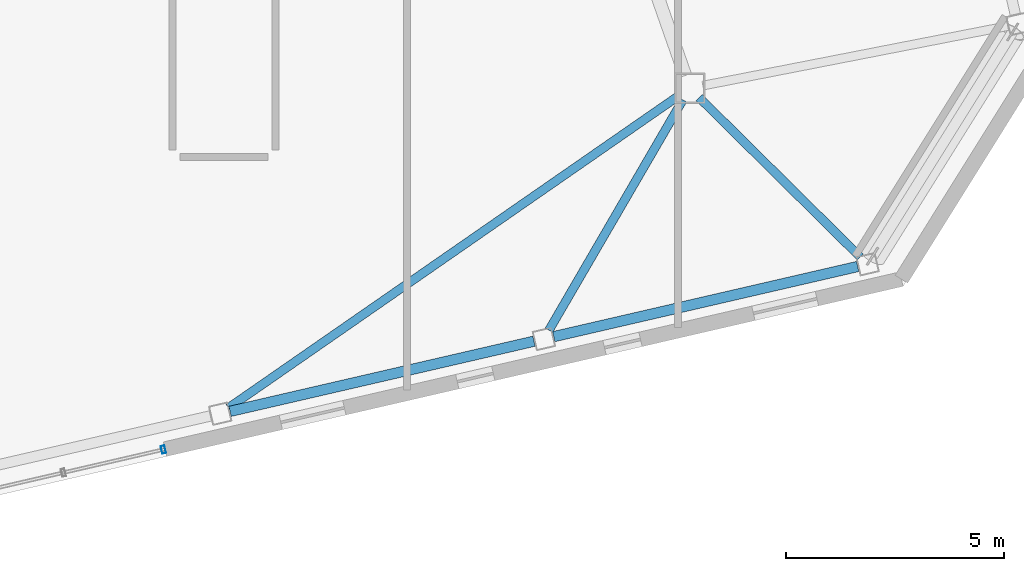
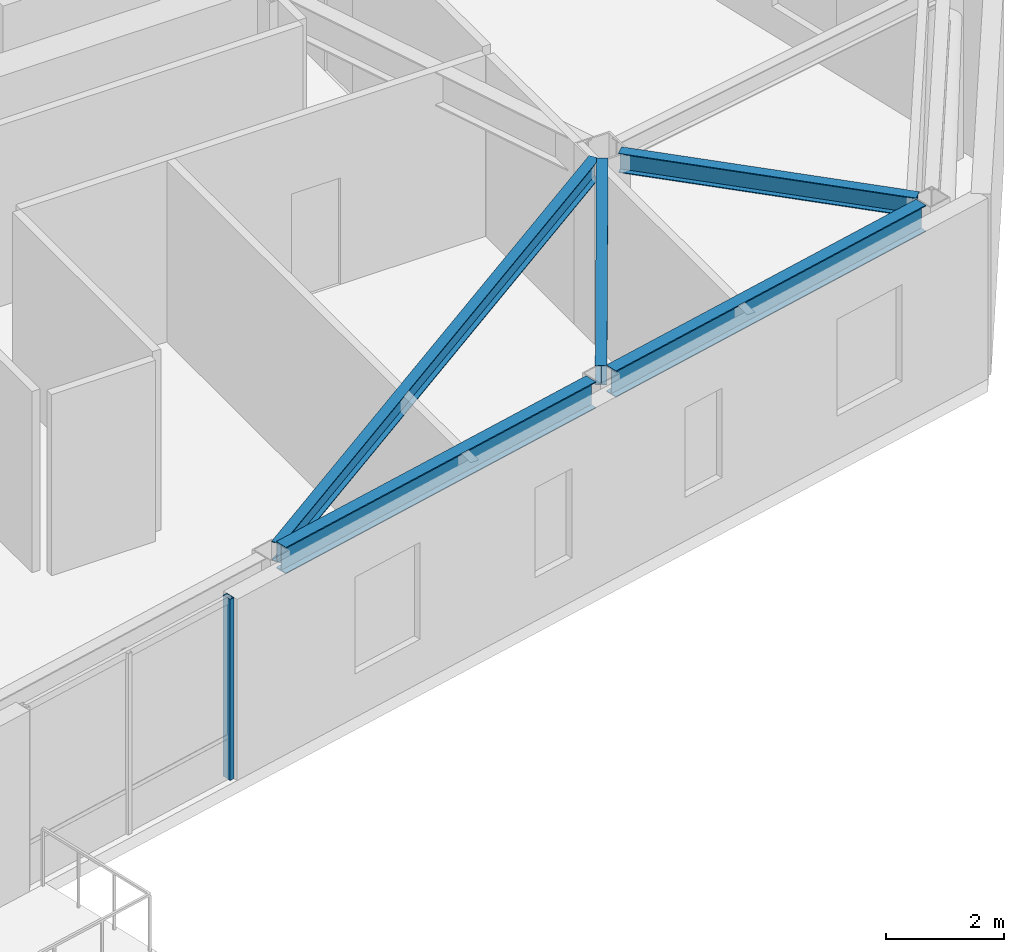
# One storey, part 10 of 24: 5 beams, 1 member, 1 element without a shape of its own.
"""IFC4 building model written with IfcOpenShell, lengths in metres."""

from ifc_helpers import new_model, si_unit, direction, frame, origin, origin_2d, place, context, subcontext, project, spatial, hollow_rectangle, i_section, extrude, material, layer, layer_set, material_profile, profile_set, type_object, element, aggregate, save


model = new_model("IFC4")

# Units and contexts
model_context = context("Model", 3, precision=1e-05, world=origin(), true_north=direction((0.0, 1.0)))
body_context = subcontext(model_context, "Body", "Model", "MODEL_VIEW")
ifc_project = project(units=[si_unit("LENGTHUNIT", "METRE"), si_unit("AREAUNIT", "SQUARE_METRE"), si_unit("VOLUMEUNIT", "CUBIC_METRE"), si_unit("PLANEANGLEUNIT", "RADIAN"), si_unit("MASSUNIT", "GRAM", prefix="KILO")], contexts=[model_context])

# Site, building, storey
site_placement = place(None, origin())
site = spatial("IfcSite", under=ifc_project, at=site_placement, CompositionType="ELEMENT")
building_placement = place(site_placement, origin())
building = spatial("IfcBuilding", under=site, at=building_placement, Name="Tavrogorsk Clinical Tower", CompositionType="ELEMENT")
storey_placement = place(building_placement, frame((0.0, 0.0, 325.0)))
storey = spatial("IfcBuildingStorey", under=building, at=storey_placement, Name="L76", CompositionType="ELEMENT", Elevation=325.0)

# Curtain wall, member
ifc_material_1 = material(Name="Anodised aluminium and triple IGU glazing", Category="aluminium")
ifc_layer = layer(ifc_material_1, 0.179931640625)
ifc_layer_set = layer_set([ifc_layer], Name="Anodised aluminium and triple IGU glazing")
curtain_wall_type = type_object("IfcCurtainWallType", Name="CW3_SouthSlot", PredefinedType="NOTDEFINED", material=ifc_layer_set)
curtain_wall_placement = place(storey_placement, origin())
curtain_wall = element("IfcCurtainWall", 1, at=curtain_wall_placement, inside=storey, type_object=curtain_wall_type, Name="L76 Curtain Wall CW-L76-S-SLOT-2", PredefinedType="NOTDEFINED")
ifc_material_2 = material(Name="Anodised aluminium alloy AW-6060", Category="aluminium")
ifc_material_profile_1 = material_profile(ifc_material_2, hollow_rectangle(XDim=0.090087890625, YDim=0.179931640625, WallThickness=0.00634765625, at=origin_2d()), Name="RHS-180x90x6.3")
ifc_profile_set_1 = profile_set([ifc_material_profile_1], Name="Anodised aluminium alloy AW-6060")
member_type = type_object("IfcMemberType", Name="CwMullion_180x90", PredefinedType="MULLION", material=ifc_profile_set_1)
member_placement = place(storey_placement, frame((12.4052734375, -21.504638671875, 0.0), z_axis=(0.0, 0.0, 1.0), x_axis=(0.974370057377, 0.224951086434, 0.0)))
member = element("IfcMember", 2, at=member_placement, type_object=member_type, Name="CW-L76-S-SLOT-2 Mullion 3", PredefinedType="MULLION", context=body_context, shape_type="SweptSolid", body=[
    extrude(hollow_rectangle(XDim=0.090087890625, YDim=0.179931640625, WallThickness=0.00634765625, at=origin_2d()), origin(), (0.0, 0.0, 1.0), 3.739990234375),
])
aggregate(curtain_wall, [member])

# Beams
ifc_material_3 = material(Name="Structural steel S355", Category="steel")
ifc_material_profile_2 = material_profile(ifc_material_3, i_section(OverallWidth=0.199951171875, OverallDepth=0.39990234375, WebThickness=0.010498046875, FlangeThickness=0.01611328125, at=origin_2d()), Name="B-400x200x10.5x16")
ifc_profile_set_2 = profile_set([ifc_material_profile_2], Name="Structural steel S355")
beam_type_1 = type_object("IfcBeamType", Name="FloorBeam_B400", PredefinedType="BEAM", material=ifc_profile_set_2)
beam_1_placement = place(storey_placement, frame((24.245361328125, -13.376708984375, 3.5400390625), z_axis=(-0.821821874963, -0.56974450926, 0.0), x_axis=(0.56974450926, -0.821821874963, 0.0)))
element("IfcBeam", 3, at=beam_1_placement, inside=storey, type_object=beam_type_1, Name="L76 Radial Floor Beam S6", PredefinedType="BEAM", context=body_context, shape_type="SweptSolid", body=[
    extrude(i_section(OverallWidth=0.199951171875, OverallDepth=0.39990234375, WebThickness=0.010498046875, FlangeThickness=0.01611328125, at=origin_2d()), origin(), (0.0, 0.0, 1.0), 12.5849609375),
])
beam_2_placement = place(storey_placement, frame((24.34423828125, -13.468017578125, 3.5400390625), z_axis=(-0.50260105099, -0.864518469174, 0.0), x_axis=(0.864518469174, -0.50260105099, 0.0)))
element("IfcBeam", 4, at=beam_2_placement, inside=storey, type_object=beam_type_1, Name="L76 Radial Floor Beam S7", PredefinedType="BEAM", context=body_context, shape_type="SweptSolid", body=[
    extrude(i_section(OverallWidth=0.199951171875, OverallDepth=0.39990234375, WebThickness=0.010498046875, FlangeThickness=0.01611328125, at=origin_2d()), origin(), (0.0, 0.0, 1.0), 6.12255859375),
])
beam_3_placement = place(storey_placement, frame((24.720458984375, -13.41796875, 3.5400390625), z_axis=(0.710870207436, -0.703323217433, 0.0), x_axis=(0.703323217433, 0.710870207436, 0.0)))
element("IfcBeam", 5, at=beam_3_placement, inside=storey, type_object=beam_type_1, Name="L76 Radial Floor Beam S8", PredefinedType="BEAM", context=body_context, shape_type="SweptSolid", body=[
    extrude(i_section(OverallWidth=0.199951171875, OverallDepth=0.39990234375, WebThickness=0.010498046875, FlangeThickness=0.01611328125, at=origin_2d()), origin(), (0.0, 0.0, 1.0), 5.208251953125),
])
ifc_material_4 = material(Name="Structural steel S390", Category="steel")
ifc_material_profile_3 = material_profile(ifc_material_4, i_section(OverallWidth=0.239990234375, OverallDepth=0.550048828125, WebThickness=0.013916015625, FlangeThickness=0.02197265625, at=origin_2d()), Name="B-550x240x14x22")
ifc_profile_set_3 = profile_set([ifc_material_profile_3], Name="Structural steel S390")
beam_type_2 = type_object("IfcBeamType", Name="SpandrelBeam_B550", PredefinedType="SPANDREL", material=ifc_profile_set_3)
for number, where, z_axis, x_axis, name in (
    (6, (13.938232421875, -20.627197265625, 3.465087890625), (0.974369378592, 0.224954026551, 0.0), (-0.224954026551, 0.974369378592, 0.0), "L76 Perimeter Spandrel S6-S7"),
    (7, (21.376953125, -18.909912109375, 3.465087890625), (0.974369378592, 0.224954026551, 0.0), (-0.224954026551, 0.974369378592, 0.0), "L76 Perimeter Spandrel S7-S8"),
):
    element("IfcBeam", number, at=place(storey_placement, frame(where, z_axis=z_axis, x_axis=x_axis)), inside=storey, type_object=beam_type_2, Name=name, PredefinedType="SPANDREL", context=body_context, shape_type="SweptSolid", body=[
        extrude(i_section(OverallWidth=0.239990234375, OverallDepth=0.550048828125, WebThickness=0.013916015625, FlangeThickness=0.02197265625, at=origin_2d()), origin(), (0.0, 0.0, 1.0), 7.16845703125),
    ])

save(model, "model.ifc")
